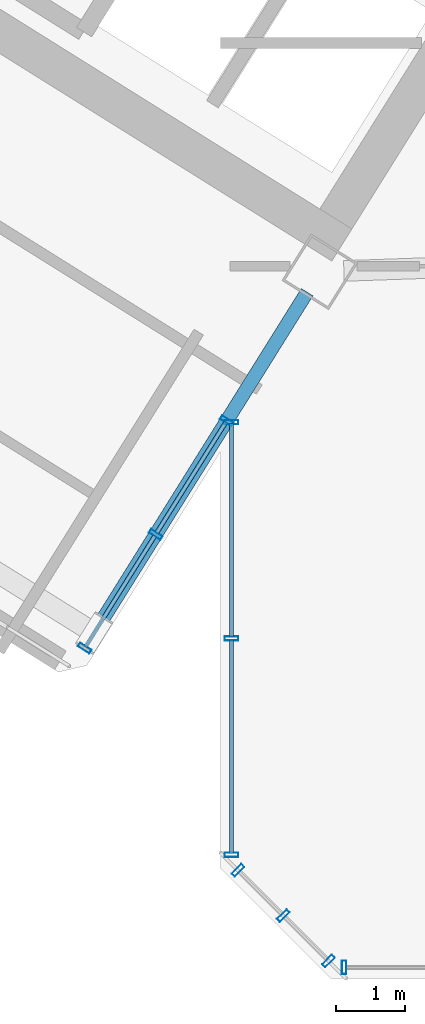
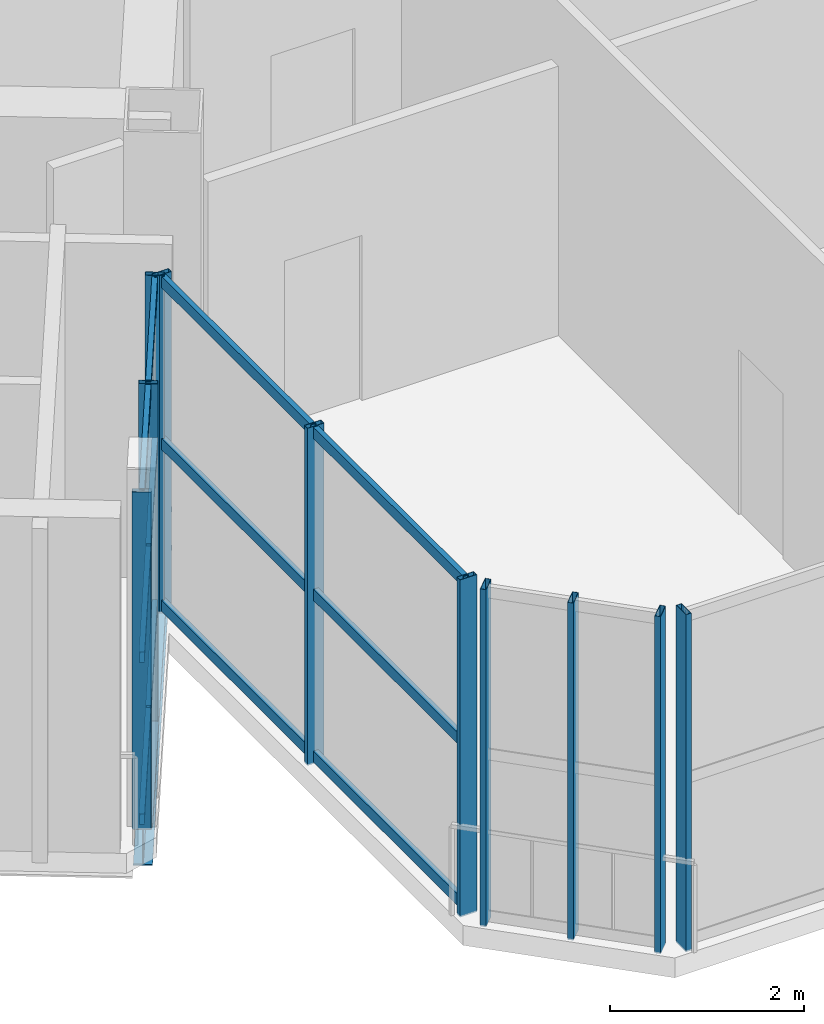
# One storey, part 6 of 34: 22 members, 1 beam, 4 elements without a shape of their own.
"""IFC4 building model written with IfcOpenShell, lengths in metres."""

from ifc_helpers import new_model, si_unit, direction, frame, origin, origin_2d, place, context, subcontext, project, spatial, hollow_rectangle, i_section, extrude, source, transform, mapped, material, material_profile, profile_set, type_object, element, aggregate, save


model = new_model("IFC4")

# Units and contexts
model_context = context("Model", 3, precision=1e-05, world=origin(), true_north=direction((0.0, 1.0)))
body_context = subcontext(model_context, "Body", "Model", "MODEL_VIEW")
ifc_project = project(units=[si_unit("LENGTHUNIT", "METRE"), si_unit("AREAUNIT", "SQUARE_METRE"), si_unit("VOLUMEUNIT", "CUBIC_METRE"), si_unit("PLANEANGLEUNIT", "RADIAN"), si_unit("MASSUNIT", "GRAM", prefix="KILO")], contexts=[model_context])

# Site, building, storey
site_placement = place(None, origin())
site = spatial("IfcSite", under=ifc_project, at=site_placement, CompositionType="ELEMENT")
building_placement = place(site_placement, origin())
building = spatial("IfcBuilding", under=site, at=building_placement, Name="Tlacorven Tower", CompositionType="ELEMENT")
storey_placement = place(building_placement, frame((0.0, 0.0, 174.89990234375)))
storey = spatial("IfcBuildingStorey", under=building, at=storey_placement, Name="L44", CompositionType="ELEMENT", Elevation=174.89990234375)

# Beam
ifc_material_1 = material(Name="Steel S355J2", Category="steel")
ifc_material_profile_1 = material_profile(ifc_material_1, i_section(OverallWidth=0.199951171875, OverallDepth=0.5, WebThickness=0.01025390625, FlangeThickness=0.01611328125, at=origin_2d()), Name="IPE 500")
ifc_profile_set_1 = profile_set([ifc_material_profile_1], Name="Steel S355J2")
beam_type = type_object("IfcBeamType", Name="BM-TWR-500", PredefinedType="BEAM", material=ifc_profile_set_1)
shared_shape_1 = source(origin(), body_context, "Body", "SweptSolid", [
    extrude(i_section(OverallWidth=0.199951171875, OverallDepth=0.5, WebThickness=0.01025390625, FlangeThickness=0.01611328125, at=origin_2d()), origin(), (0.0, 0.0, 1.0), 5.749755859375),
])
beam_placement = place(storey_placement, frame((32.860595703125, 11.7900390625, -0.5), z_axis=(-0.529903520428, -0.848057933775, 0.0), x_axis=(0.848057933775, -0.529903520428, 0.0)))
element("IfcBeam", 1, at=beam_placement, inside=storey, type_object=beam_type, Name="L44 beam BM-L44-WT1-2", PredefinedType="BEAM", context=body_context, shape_type="MappedRepresentation", body=[
    mapped(shared_shape_1, transform((0.0, 0.0, 0.0), scale=1.0)),
])

# Curtain wall, member
ifc_material_2 = material(Name="Dark solar low-E double glazing in aluminium frame", Category="aluminium")
curtain_wall_type = type_object("IfcCurtainWallType", Name="CW-TWR-MID", PredefinedType="USERDEFINED", material=ifc_material_2)
curtain_wall_1_placement = place(storey_placement, origin())
curtain_wall_1 = element("IfcCurtainWall", 2, at=curtain_wall_1_placement, inside=storey, type_object=curtain_wall_type, Name="L44 CW-TWR-MID Curtain Wall 203", ObjectType="UNITISED CURTAIN WALL", PredefinedType="USERDEFINED")
ifc_material_3 = material(Name="Aluminium 6063-T6 anodised", Category="aluminium")
ifc_material_profile_2 = material_profile(ifc_material_3, hollow_rectangle(XDim=0.06494140625, YDim=0.199951171875, WallThickness=0.00439453125, at=origin_2d()), Name="ALU MULLION 65X200")
ifc_profile_set_2 = profile_set([ifc_material_profile_2], Name="Aluminium 6063-T6 anodised")
member_type_1 = type_object("IfcMemberType", Name="CWM-02", PredefinedType="MULLION", material=ifc_profile_set_2)
shared_shape_2 = source(origin(), body_context, "Body", "SweptSolid", [
    extrude(hollow_rectangle(XDim=0.06494140625, YDim=0.199951171875, WallThickness=0.00439453125, at=origin_2d()), origin(), (0.0, 0.0, 1.0), 4.25),
])
member_1_placement = place(storey_placement, frame((33.398681640625, 1.9599609375, -0.02001953125), z_axis=(0.0, 0.0, 1.0), x_axis=(-1.0, 0.0, 0.0)))
member_1 = element("IfcMember", 3, at=member_1_placement, type_object=member_type_1, Name="CW-L44-203 Mullion 4", PredefinedType="MULLION", context=body_context, shape_type="MappedRepresentation", body=[
    mapped(shared_shape_2, transform((0.0, 0.0, 0.0), scale=1.0)),
])
aggregate(curtain_wall_1, [member_1])

# Curtain wall, members
curtain_wall_2_placement = place(storey_placement, origin())
curtain_wall_2 = element("IfcCurtainWall", 4, at=curtain_wall_2_placement, inside=storey, type_object=curtain_wall_type, Name="L44 CW-TWR-MID Curtain Wall 204", ObjectType="UNITISED CURTAIN WALL", PredefinedType="USERDEFINED")
member_2_placement = place(storey_placement, frame((33.172607421875, 2.0537109375, -0.02001953125), z_axis=(0.0, 0.0, 1.0), x_axis=(-0.707106781187, 0.707106781187, 0.0)))
member_2 = element("IfcMember", 5, at=member_2_placement, type_object=member_type_1, Name="CW-L44-204 Mullion 1", PredefinedType="MULLION", context=body_context, shape_type="MappedRepresentation", body=[
    mapped(shared_shape_2, transform((0.0, 0.0, 0.0), scale=1.0)),
])
member_3_placement = place(storey_placement, frame((32.51318359375, 2.713134765625, -0.02001953125), z_axis=(0.0, 0.0, 1.0), x_axis=(-0.707106781187, 0.707106781187, 0.0)))
member_3 = element("IfcMember", 6, at=member_3_placement, type_object=member_type_1, Name="CW-L44-204 Mullion 2", PredefinedType="MULLION", context=body_context, shape_type="MappedRepresentation", body=[
    mapped(shared_shape_2, transform((0.0, 0.0, 0.0), scale=1.0)),
])
member_4_placement = place(storey_placement, frame((31.853759765625, 3.37255859375, -0.02001953125), z_axis=(0.0, 0.0, 1.0), x_axis=(-0.707106781187, 0.707106781187, 0.0)))
member_4 = element("IfcMember", 7, at=member_4_placement, type_object=member_type_1, Name="CW-L44-204 Mullion 3", PredefinedType="MULLION", context=body_context, shape_type="MappedRepresentation", body=[
    mapped(shared_shape_2, transform((0.0, 0.0, 0.0), scale=1.0)),
])
aggregate(curtain_wall_2, [member_2, member_3, member_4])

curtain_wall_3_placement = place(storey_placement, origin())
curtain_wall_3 = element("IfcCurtainWall", 8, at=curtain_wall_3_placement, inside=storey, type_object=curtain_wall_type, Name="L44 CW-TWR-MID Curtain Wall 205", ObjectType="UNITISED CURTAIN WALL", PredefinedType="USERDEFINED")
member_5_placement = place(storey_placement, frame((31.760009765625, 3.598876953125, -0.02001953125), z_axis=(0.0, 0.0, 1.0), x_axis=(0.0, 1.0, 0.0)))
member_5 = element("IfcMember", 9, at=member_5_placement, type_object=member_type_1, Name="CW-L44-205 Mullion 1", PredefinedType="MULLION", context=body_context, shape_type="MappedRepresentation", body=[
    mapped(shared_shape_2, transform((0.0, 0.0, 0.0), scale=1.0)),
])
member_6_placement = place(storey_placement, frame((31.760009765625, 6.74755859375, -0.02001953125), z_axis=(0.0, 0.0, 1.0), x_axis=(0.0, 1.0, 0.0)))
member_6 = element("IfcMember", 10, at=member_6_placement, type_object=member_type_1, Name="CW-L44-205 Mullion 2", PredefinedType="MULLION", context=body_context, shape_type="MappedRepresentation", body=[
    mapped(shared_shape_2, transform((0.0, 0.0, 0.0), scale=1.0)),
])
member_7_placement = place(storey_placement, frame((31.760009765625, 9.896240234375, -0.02001953125), z_axis=(0.0, 0.0, 1.0), x_axis=(0.0, 1.0, 0.0)))
member_7 = element("IfcMember", 11, at=member_7_placement, type_object=member_type_1, Name="CW-L44-205 Mullion 3", PredefinedType="MULLION", context=body_context, shape_type="MappedRepresentation", body=[
    mapped(shared_shape_2, transform((0.0, 0.0, 0.0), scale=1.0)),
])

curtain_wall_4_placement = place(storey_placement, origin())
curtain_wall_4 = element("IfcCurtainWall", 12, at=curtain_wall_4_placement, inside=storey, type_object=curtain_wall_type, Name="L44 CW-TWR-MID Curtain Wall 206", ObjectType="UNITISED CURTAIN WALL", PredefinedType="USERDEFINED")
member_8_placement = place(storey_placement, frame((31.689697265625, 9.916259765625, -0.02001953125), z_axis=(0.0, 0.0, 1.0), x_axis=(-0.529918710919, -0.848048441905, 0.0)))
member_8 = element("IfcMember", 13, at=member_8_placement, type_object=member_type_1, Name="CW-L44-206 Mullion 1", PredefinedType="MULLION", context=body_context, shape_type="MappedRepresentation", body=[
    mapped(shared_shape_2, transform((0.0, 0.0, 0.0), scale=1.0)),
])
member_9_placement = place(storey_placement, frame((30.656005859375, 8.261962890625, -0.02001953125), z_axis=(0.0, 0.0, 1.0), x_axis=(-0.529918710919, -0.848048441905, 0.0)))
member_9 = element("IfcMember", 14, at=member_9_placement, type_object=member_type_1, Name="CW-L44-206 Mullion 2", PredefinedType="MULLION", context=body_context, shape_type="MappedRepresentation", body=[
    mapped(shared_shape_2, transform((0.0, 0.0, 0.0), scale=1.0)),
])
member_10_placement = place(storey_placement, frame((29.622314453125, 6.607421875, -0.02001953125), z_axis=(0.0, 0.0, 1.0), x_axis=(-0.529918710919, -0.848048441905, 0.0)))
member_10 = element("IfcMember", 15, at=member_10_placement, type_object=member_type_1, Name="CW-L44-206 Mullion 3", PredefinedType="MULLION", context=body_context, shape_type="MappedRepresentation", body=[
    mapped(shared_shape_2, transform((0.0, 0.0, 0.0), scale=1.0)),
])

# Member
ifc_material_profile_3 = material_profile(ifc_material_3, hollow_rectangle(XDim=0.06005859375, YDim=0.139892578125, WallThickness=0.00390625, at=origin_2d()), Name="ALU TRANSOM 60X140")
ifc_profile_set_3 = profile_set([ifc_material_profile_3], Name="Aluminium 6063-T6 anodised")
member_type_2 = type_object("IfcMemberType", Name="CWT-02", PredefinedType="USERDEFINED", material=ifc_profile_set_3)
shared_shape_3 = source(origin(), body_context, "Body", "SweptSolid", [
    extrude(hollow_rectangle(XDim=0.06005859375, YDim=0.139892578125, WallThickness=0.00390625, at=origin_2d()), origin(), (0.0, 0.0, 1.0), 3.107666015625),
])
member_11_placement = place(storey_placement, frame((31.760009765625, 3.619384765625, 0.070068359375), z_axis=(0.0, 1.0, 0.0), x_axis=(-1.0, 0.0, 0.0)))
member_11 = element("IfcMember", 16, at=member_11_placement, type_object=member_type_2, Name="CW-L44-205 Transom 1", ObjectType="TRANSOM", PredefinedType="USERDEFINED", context=body_context, shape_type="MappedRepresentation", body=[
    mapped(shared_shape_3, transform((0.0, 0.0, 0.0), scale=1.0)),
])

member_12_placement = place(storey_placement, frame((31.760009765625, 3.619384765625, 2.110107421875), z_axis=(0.0, 1.0, 0.0), x_axis=(-1.0, 0.0, 0.0)))
member_12 = element("IfcMember", 17, at=member_12_placement, type_object=member_type_2, Name="CW-L44-205 Transom 2", ObjectType="TRANSOM", PredefinedType="USERDEFINED", context=body_context, shape_type="MappedRepresentation", body=[
    mapped(shared_shape_3, transform((0.0, 0.0, 0.0), scale=1.0)),
])

member_13_placement = place(storey_placement, frame((31.760009765625, 3.619384765625, 4.150146484375), z_axis=(0.0, 1.0, 0.0), x_axis=(-1.0, 0.0, 0.0)))
member_13 = element("IfcMember", 18, at=member_13_placement, type_object=member_type_2, Name="CW-L44-205 Transom 3", ObjectType="TRANSOM", PredefinedType="USERDEFINED", context=body_context, shape_type="MappedRepresentation", body=[
    mapped(shared_shape_3, transform((0.0, 0.0, 0.0), scale=1.0)),
])

member_14_placement = place(storey_placement, frame((31.760009765625, 6.76806640625, 0.070068359375), z_axis=(0.0, 1.0, 0.0), x_axis=(-1.0, 0.0, 0.0)))
member_14 = element("IfcMember", 19, at=member_14_placement, type_object=member_type_2, Name="CW-L44-205 Transom 4", ObjectType="TRANSOM", PredefinedType="USERDEFINED", context=body_context, shape_type="MappedRepresentation", body=[
    mapped(shared_shape_3, transform((0.0, 0.0, 0.0), scale=1.0)),
])

member_15_placement = place(storey_placement, frame((31.760009765625, 6.76806640625, 2.110107421875), z_axis=(0.0, 1.0, 0.0), x_axis=(-1.0, 0.0, 0.0)))
member_15 = element("IfcMember", 20, at=member_15_placement, type_object=member_type_2, Name="CW-L44-205 Transom 5", ObjectType="TRANSOM", PredefinedType="USERDEFINED", context=body_context, shape_type="MappedRepresentation", body=[
    mapped(shared_shape_3, transform((0.0, 0.0, 0.0), scale=1.0)),
])

member_16_placement = place(storey_placement, frame((31.760009765625, 6.76806640625, 4.150146484375), z_axis=(0.0, 1.0, 0.0), x_axis=(-1.0, 0.0, 0.0)))
member_16 = element("IfcMember", 21, at=member_16_placement, type_object=member_type_2, Name="CW-L44-205 Transom 6", ObjectType="TRANSOM", PredefinedType="USERDEFINED", context=body_context, shape_type="MappedRepresentation", body=[
    mapped(shared_shape_3, transform((0.0, 0.0, 0.0), scale=1.0)),
])

aggregate(curtain_wall_3, [member_5, member_6, member_7, member_11, member_12, member_13, member_14, member_15, member_16])

shared_shape_4 = source(origin(), body_context, "Body", "SweptSolid", [
    extrude(hollow_rectangle(XDim=0.06005859375, YDim=0.139892578125, WallThickness=0.00390625, at=origin_2d()), origin(), (0.0, 0.0, 1.0), 1.909912109375),
])
member_17_placement = place(storey_placement, frame((31.678955078125, 9.89892578125, 0.070068359375), z_axis=(-0.529975959448, -0.848012666419, 0.0), x_axis=(0.848012666419, -0.529975959448, 0.0)))
member_17 = element("IfcMember", 22, at=member_17_placement, type_object=member_type_2, Name="CW-L44-206 Transom 1", ObjectType="TRANSOM", PredefinedType="USERDEFINED", context=body_context, shape_type="MappedRepresentation", body=[
    mapped(shared_shape_4, transform((0.0, 0.0, 0.0), scale=1.0)),
])

member_18_placement = place(storey_placement, frame((31.678955078125, 9.89892578125, 2.110107421875), z_axis=(-0.529975959448, -0.848012666419, 0.0), x_axis=(0.848012666419, -0.529975959448, 0.0)))
member_18 = element("IfcMember", 23, at=member_18_placement, type_object=member_type_2, Name="CW-L44-206 Transom 2", ObjectType="TRANSOM", PredefinedType="USERDEFINED", context=body_context, shape_type="MappedRepresentation", body=[
    mapped(shared_shape_4, transform((0.0, 0.0, 0.0), scale=1.0)),
])

member_19_placement = place(storey_placement, frame((31.678955078125, 9.89892578125, 4.150146484375), z_axis=(-0.529975959448, -0.848012666419, 0.0), x_axis=(0.848012666419, -0.529975959448, 0.0)))
member_19 = element("IfcMember", 24, at=member_19_placement, type_object=member_type_2, Name="CW-L44-206 Transom 3", ObjectType="TRANSOM", PredefinedType="USERDEFINED", context=body_context, shape_type="MappedRepresentation", body=[
    mapped(shared_shape_4, transform((0.0, 0.0, 0.0), scale=1.0)),
])

shared_shape_5 = source(origin(), body_context, "Body", "SweptSolid", [
    extrude(hollow_rectangle(XDim=0.06005859375, YDim=0.139892578125, WallThickness=0.00390625, at=origin_2d()), origin(), (0.0, 0.0, 1.0), 1.90966796875),
])
member_20_placement = place(storey_placement, frame((30.64501953125, 8.244384765625, 0.070068359375), z_axis=(-0.529884025548, -0.848070114713, 0.0), x_axis=(0.848070114713, -0.529884025548, 0.0)))
member_20 = element("IfcMember", 25, at=member_20_placement, type_object=member_type_2, Name="CW-L44-206 Transom 4", ObjectType="TRANSOM", PredefinedType="USERDEFINED", context=body_context, shape_type="MappedRepresentation", body=[
    mapped(shared_shape_5, transform((0.0, 0.0, 0.0), scale=1.0)),
])

member_21_placement = place(storey_placement, frame((30.64501953125, 8.244384765625, 2.110107421875), z_axis=(-0.529884025548, -0.848070114713, 0.0), x_axis=(0.848070114713, -0.529884025548, 0.0)))
member_21 = element("IfcMember", 26, at=member_21_placement, type_object=member_type_2, Name="CW-L44-206 Transom 5", ObjectType="TRANSOM", PredefinedType="USERDEFINED", context=body_context, shape_type="MappedRepresentation", body=[
    mapped(shared_shape_5, transform((0.0, 0.0, 0.0), scale=1.0)),
])

member_22_placement = place(storey_placement, frame((30.64501953125, 8.244384765625, 4.150146484375), z_axis=(-0.529884025548, -0.848070114713, 0.0), x_axis=(0.848070114713, -0.529884025548, 0.0)))
member_22 = element("IfcMember", 27, at=member_22_placement, type_object=member_type_2, Name="CW-L44-206 Transom 6", ObjectType="TRANSOM", PredefinedType="USERDEFINED", context=body_context, shape_type="MappedRepresentation", body=[
    mapped(shared_shape_5, transform((0.0, 0.0, 0.0), scale=1.0)),
])

aggregate(curtain_wall_4, [member_8, member_9, member_10, member_17, member_18, member_19, member_20, member_21, member_22])

save(model, "model.ifc")
